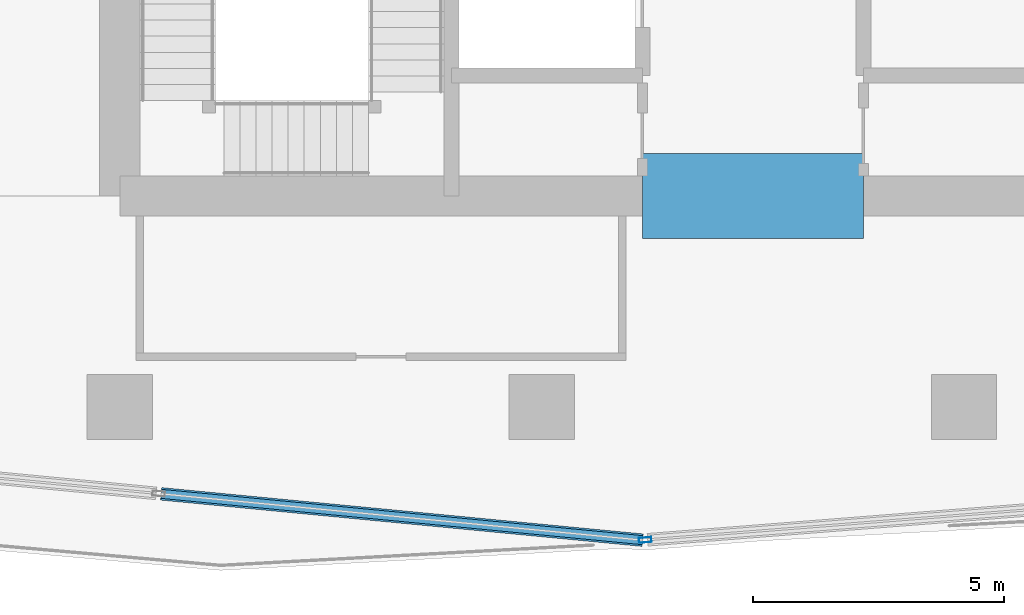
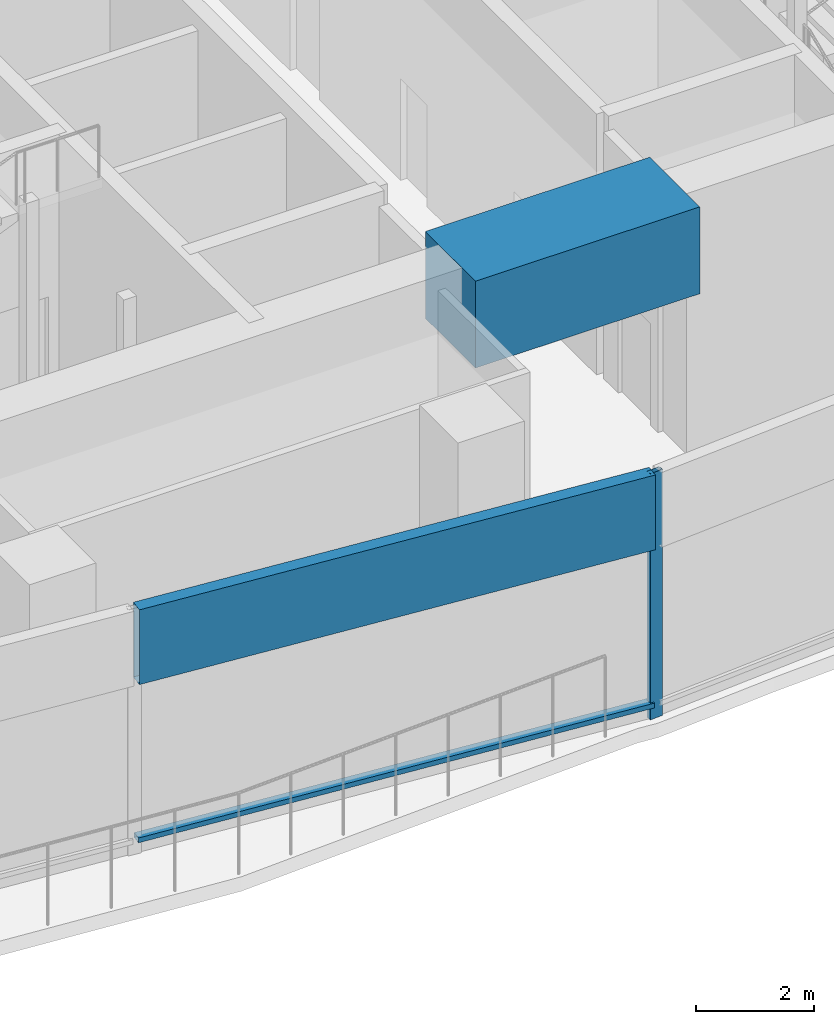
# One storey, part 3 of 22: 3 members, 1 beam, 2 elements without a shape of their own.
"""IFC4 building model written with IfcOpenShell, lengths in metres."""

import ifcopenshell
import ifcopenshell.guid

model = None  # the IFC model being written
_history = None  # IfcOwnerHistory: only IFC2X3 demands one
_inside = {}  # id of a spatial element -> (the spatial element, [elements in it])
_under = {}  # id of a project, library or spatial element -> (it, [spatial elements below it])
_declared = {}  # id of a project -> (the project, [libraries it declares])
_typed = {}  # id of a type object -> (the type object, [elements of that type])
_made_of = {}  # id of a material, layer set ... -> (it, [elements and type objects made of it])


def new_model(schema):
    """Start an empty IFC model of exactly this schema.

    Asked for "IFC4X3", IfcOpenShell would pick the latest addendum, in which some entities
    have other attributes; the version numbers below select the first issue.
    IFC2X3 requires an IfcOwnerHistory on every rooted entity: one is made here for all.
    """
    global model, _history
    if schema == "IFC4X3":
        model = ifcopenshell.file(schema_version=(4, 3, 0, 0))
    else:
        model = ifcopenshell.file(schema=schema)
    _inside.clear()
    _under.clear()
    _declared.clear()
    _typed.clear()
    _made_of.clear()
    _history = None
    if model.schema == "IFC2X3":
        org = make("IfcOrganization", Name="unknown")
        user = make(
            "IfcPersonAndOrganization",
            ThePerson=make("IfcPerson", FamilyName="unknown"),
            TheOrganization=org,
        )
        app = make(
            "IfcApplication",
            ApplicationDeveloper=org,
            Version="unknown",
            ApplicationFullName="unknown",
            ApplicationIdentifier="unknown",
        )
        _history = make(
            "IfcOwnerHistory",
            OwningUser=user,
            OwningApplication=app,
            ChangeAction="ADDED",
            CreationDate=0,
        )
    return model


def make(cls, **values):
    """One entity of the class cls with the attributes given. An attribute that is None is left unset."""
    return model.create_entity(
        cls, **{name: value for name, value in values.items() if value is not None}
    )


def rooted(cls, **values):
    """An entity with a GlobalId (a new one), such as an element, a storey or a relation."""
    return make(cls, GlobalId=ifcopenshell.guid.new(), OwnerHistory=_history, **values)


def si_unit(unit_type, name, prefix=None):
    """IfcSIUnit, for example si_unit("LENGTHUNIT", "METRE", prefix="MILLI")."""
    return make("IfcSIUnit", UnitType=unit_type, Prefix=prefix, Name=name)


def assignment(units):
    """IfcUnitAssignment: the units of a project."""
    return None if units is None else make("IfcUnitAssignment", Units=units)


def point(xyz):
    """IfcCartesianPoint."""
    return None if xyz is None else make("IfcCartesianPoint", Coordinates=xyz)


def direction(xyz):
    """IfcDirection."""
    return None if xyz is None else make("IfcDirection", DirectionRatios=xyz)


def frame(location, z_axis=None, x_axis=None):
    """IfcAxis2Placement3D, a coordinate frame: its origin and axes. An axis left out is left unset."""
    return make(
        "IfcAxis2Placement3D",
        Location=point(location),
        Axis=direction(z_axis),
        RefDirection=direction(x_axis),
    )


def frame_2d(location, x_axis=None):
    """IfcAxis2Placement2D, a coordinate frame in the plane: its origin and x axis."""
    return make(
        "IfcAxis2Placement2D", Location=point(location), RefDirection=direction(x_axis)
    )


def origin():
    """The frame at (0, 0, 0) with its axes left unset."""
    return frame((0.0, 0.0, 0.0))


def origin_2d():
    """The frame at (0, 0) in the plane with its x axis left unset."""
    return frame_2d((0.0, 0.0))


def place(relative_to, where):
    """IfcLocalPlacement: puts the frame where relative to a parent placement (None: the world)."""
    return make(
        "IfcLocalPlacement", PlacementRelTo=relative_to, RelativePlacement=where
    )


def context(
    kind, dimensions, precision=None, world=None, true_north=None, identifier=None
):
    """IfcGeometricRepresentationContext, for example the 3D "Model" context."""
    return make(
        "IfcGeometricRepresentationContext",
        ContextIdentifier=identifier,
        ContextType=kind,
        CoordinateSpaceDimension=dimensions,
        Precision=precision,
        WorldCoordinateSystem=world,
        TrueNorth=true_north,
    )


def subcontext(parent, identifier, kind, view, scale=None):
    """IfcGeometricRepresentationSubContext, for example "Body" below "Model"."""
    return make(
        "IfcGeometricRepresentationSubContext",
        ContextIdentifier=identifier,
        ContextType=kind,
        ParentContext=parent,
        TargetScale=scale,
        TargetView=view,
    )


def project(units=None, contexts=None):
    """IfcProject with its units and contexts."""
    return rooted(
        "IfcProject",
        Name="project",
        RepresentationContexts=contexts,
        UnitsInContext=assignment(units),
    )


def spatial(cls, under=None, at=None, **own):
    """A site, building, storey or space (cls), placed at a placement, below another one or the project."""
    s = rooted(cls, ObjectPlacement=at, **own)
    if under is not None:
        _under.setdefault(under.id(), (under, []))[1].append(s)
    return s


def profile(cls, at=None, kind="AREA", **sizes):
    """A parametric profile (cls). Its sizes go by their IFC names, for example OverallWidth=200.0."""
    return make(cls, ProfileType=kind, Position=at, **sizes)


def rectangle(**sizes):
    """IfcRectangleProfileDef."""
    return profile("IfcRectangleProfileDef", **sizes)


def hollow_rectangle(**sizes):
    """IfcRectangleHollowProfileDef."""
    return profile("IfcRectangleHollowProfileDef", **sizes)


def extrude(swept, where, along, depth):
    """IfcExtrudedAreaSolid: the profile swept, set in the frame where, extruded along a direction by depth."""
    return make(
        "IfcExtrudedAreaSolid",
        SweptArea=swept,
        Position=where,
        ExtrudedDirection=direction(along),
        Depth=depth,
    )


def shape(context_of_items, identifier, shape_type, items):
    """IfcShapeRepresentation: the items that make up one representation, for example the "Body"."""
    return make(
        "IfcShapeRepresentation",
        ContextOfItems=context_of_items,
        RepresentationIdentifier=identifier,
        RepresentationType=shape_type,
        Items=items,
    )


def material(Name=None, Category=None):
    """IfcMaterial."""
    return make("IfcMaterial", Name=Name, Category=Category)


def material_profile(
    of_material, cross_section, Name=None, Category=None, Priority=None
):
    """IfcMaterialProfile: a cross section and its material."""
    return make(
        "IfcMaterialProfile",
        Name=Name,
        Material=of_material,
        Profile=cross_section,
        Priority=Priority,
        Category=Category,
    )


def profile_set(profiles, Name=None, composite=None):
    """IfcMaterialProfileSet."""
    return make(
        "IfcMaterialProfileSet",
        Name=Name,
        MaterialProfiles=profiles,
        CompositeProfile=composite,
    )


def made_of(thing, what):
    """Note that an element or type object is made of a material, layer set ...; save() writes the relation."""
    if what is not None:
        _made_of.setdefault(what.id(), (what, []))[1].append(thing)
    return thing


def type_object(cls, material=None, **own):
    """A type object (cls), such as IfcWallType, which elements share."""
    return made_of(rooted(cls, **own), material)


def element(
    cls,
    number,
    at=None,
    inside=None,
    cuts=None,
    type_object=None,
    material=None,
    context=None,
    identifier="Body",
    shape_type=None,
    held_by="IfcProductDefinitionShape",
    body=None,
    shapes=None,
    **own,
):
    """One element of the class cls, such as IfcWall. Its Tag is "e" and its number.

    at: its placement. inside: the storey or other place that contains it. cuts: it is an
    opening in that element (IfcRelVoidsElement). A single representation is given by context,
    identifier, shape_type and body (its items); several are given by shapes. held_by: the class
    of the entity that holds the representations. save() writes the other relations.
    """
    e = rooted(cls, Tag="e%d" % number, ObjectPlacement=at, **own)
    if body is not None:
        shapes = [shape(context, identifier, shape_type, body)]
    if shapes is not None:
        e.Representation = make(held_by, Representations=shapes)
    if inside is not None:
        _inside.setdefault(inside.id(), (inside, []))[1].append(e)
    if cuts is not None:
        rooted(
            "IfcRelVoidsElement", RelatingBuildingElement=cuts, RelatedOpeningElement=e
        )
    if type_object is not None:
        _typed.setdefault(type_object.id(), (type_object, []))[1].append(e)
    return made_of(e, material)


def aggregate(whole, parts):
    """IfcRelAggregates: a whole, such as a stair, and the parts it consists of."""
    return rooted("IfcRelAggregates", RelatingObject=whole, RelatedObjects=parts)


def save(model, path):
    """Write the relations noted so far, then the file.

    IfcRelAggregates (storeys below a building ...), IfcRelContainedInSpatialStructure (elements
    in a storey), IfcRelDefinesByType, IfcRelAssociatesMaterial and IfcRelDeclares: one each for
    every whole, place, type object, material and project.
    """
    for whole, parts in _under.values():
        aggregate(whole, parts)
    for where, things in _inside.values():
        rooted(
            "IfcRelContainedInSpatialStructure",
            RelatedElements=things,
            RelatingStructure=where,
        )
    for kind, things in _typed.values():
        rooted("IfcRelDefinesByType", RelatedObjects=things, RelatingType=kind)
    for what, things in _made_of.values():
        rooted("IfcRelAssociatesMaterial", RelatedObjects=things, RelatingMaterial=what)
    for by, libraries in _declared.values():
        rooted("IfcRelDeclares", RelatingContext=by, RelatedDefinitions=libraries)
    model.write(path)


model = new_model("IFC4")

# Units and contexts
model_context = context("Model", 3, precision=1e-05, world=origin(), true_north=direction((0.0, 1.0)))
body_context = subcontext(model_context, "Body", "Model", "MODEL_VIEW")
ifc_project = project(units=[si_unit("LENGTHUNIT", "METRE"), si_unit("AREAUNIT", "SQUARE_METRE"), si_unit("VOLUMEUNIT", "CUBIC_METRE"), si_unit("PLANEANGLEUNIT", "RADIAN"), si_unit("MASSUNIT", "GRAM", prefix="KILO")], contexts=[model_context])

# Site, building, storey
site_placement = place(None, origin())
site = spatial("IfcSite", under=ifc_project, at=site_placement, CompositionType="ELEMENT")
building_placement = place(site_placement, origin())
building = spatial("IfcBuilding", under=site, at=building_placement, Name="Rekha Terrace Tower", CompositionType="ELEMENT")
storey_placement = place(building_placement, frame((0.0, 0.0, 291.35009765625)))
storey = spatial("IfcBuildingStorey", under=building, at=storey_placement, Name="L74", CompositionType="ELEMENT", Elevation=291.35009765625)

# Curtain wall, member
ifc_material_1 = material(Name="Aluminium framing", Category="aluminium")
curtain_wall_type = type_object("IfcCurtainWallType", Name="CW6 observation glazing", PredefinedType="USERDEFINED", material=ifc_material_1)
curtain_wall_1_placement = place(storey_placement, origin())
curtain_wall_1 = element("IfcCurtainWall", 1, at=curtain_wall_1_placement, inside=storey, type_object=curtain_wall_type, Name="CW6 observation curtain wall", ObjectType="OBSERVATION CURTAIN WALL", PredefinedType="USERDEFINED")
ifc_material_2 = material(Name="Aluminium mullion section", Category="aluminium")
ifc_material_profile_1 = material_profile(ifc_material_2, hollow_rectangle(XDim=0.10009765625, YDim=0.25, WallThickness=0.00390625, at=origin_2d()), Name="AL RHS 100x250")
ifc_profile_set_1 = profile_set([ifc_material_profile_1], Name="Aluminium mullion section")
member_type_1 = type_object("IfcMemberType", Name="CW6 mullion RHS 100 x 250", PredefinedType="MULLION", material=ifc_profile_set_1)
member_1_placement = place(storey_placement, frame((35.656494140625, 14.15478515625, 0.0), z_axis=(0.0, 0.0, 1.0), x_axis=(-0.078448725836, 0.996918149807, 0.0)))
member_1 = element("IfcMember", 2, at=member_1_placement, type_object=member_type_1, Name="CW6 mullion 1", PredefinedType="MULLION", context=body_context, shape_type="SweptSolid", body=[
    extrude(hollow_rectangle(XDim=0.10009765625, YDim=0.25, WallThickness=0.00390625, at=origin_2d()), origin(), (0.0, 0.0, 1.0), 5.099853515625),
])
aggregate(curtain_wall_1, [member_1])

# Curtain wall, members
curtain_wall_2_placement = place(storey_placement, origin())
curtain_wall_2 = element("IfcCurtainWall", 3, at=curtain_wall_2_placement, inside=storey, type_object=curtain_wall_type, Name="CW6 observation curtain wall", ObjectType="OBSERVATION CURTAIN WALL", PredefinedType="USERDEFINED")
ifc_material_3 = material(Name="Insulated aluminium spandrel box", Category="aluminium")
ifc_material_profile_2 = material_profile(ifc_material_3, hollow_rectangle(XDim=0.25, YDim=1.550048828125, WallThickness=0.0029296875, at=origin_2d()), Name="AL SPANDREL BOX 250x1550")
ifc_profile_set_2 = profile_set([ifc_material_profile_2], Name="Insulated aluminium spandrel box")
member_type_2 = type_object("IfcMemberType", Name="CW6 spandrel transom 250 x 1550", PredefinedType="USERDEFINED", material=ifc_profile_set_2)
member_2_placement = place(storey_placement, frame((26.0234375, 15.072509765625, 4.324951171875), z_axis=(0.99540498606, -0.095754444943, 0.0), x_axis=(0.095754444943, 0.99540498606, 0.0)))
member_2 = element("IfcMember", 4, at=member_2_placement, type_object=member_type_2, Name="CW6 spandrel transom 2", ObjectType="TRANSOM", PredefinedType="USERDEFINED", context=body_context, shape_type="SweptSolid", body=[
    extrude(hollow_rectangle(XDim=0.25, YDim=1.550048828125, WallThickness=0.0029296875, at=origin_2d()), origin(), (0.0, 0.0, 1.0), 9.62744140625),
])
ifc_material_4 = material(Name="Aluminium transom section", Category="aluminium")
ifc_material_profile_3 = material_profile(ifc_material_4, hollow_rectangle(XDim=0.179931640625, YDim=0.10009765625, WallThickness=0.0029296875, at=origin_2d()), Name="AL RHS 180x100")
ifc_profile_set_3 = profile_set([ifc_material_profile_3], Name="Aluminium transom section")
member_type_3 = type_object("IfcMemberType", Name="CW6 transom RHS 100 x 180", PredefinedType="USERDEFINED", material=ifc_profile_set_3)
member_3_placement = place(storey_placement, frame((26.0234375, 15.072509765625, 0.2998046875), z_axis=(0.99540498606, -0.095754444943, 0.0), x_axis=(0.095754444943, 0.99540498606, 0.0)))
member_3 = element("IfcMember", 5, at=member_3_placement, type_object=member_type_3, Name="CW6 transom 2.2", ObjectType="TRANSOM", PredefinedType="USERDEFINED", context=body_context, shape_type="SweptSolid", body=[
    extrude(hollow_rectangle(XDim=0.179931640625, YDim=0.10009765625, WallThickness=0.0029296875, at=origin_2d()), origin(), (0.0, 0.0, 1.0), 9.62744140625),
])
aggregate(curtain_wall_2, [member_3, member_2])

# Beam
ifc_material_5 = material(Name="Concrete M60", Category="concrete")
ifc_material_profile_4 = material_profile(ifc_material_5, rectangle(XDim=1.699951171875, YDim=1.800048828125, at=origin_2d()), Name="RC 1700x1800")
ifc_profile_set_4 = profile_set([ifc_material_profile_4], Name="Concrete M60")
beam_type = type_object("IfcBeamType", Name="LB5B 1700x1800 diagonally reinforced coupling beam", PredefinedType="LINTEL", material=ifc_profile_set_4)
beam_placement = place(storey_placement, frame((35.60009765625, 21.0, 4.5), z_axis=(1.0, 0.0, 0.0), x_axis=(0.0, 1.0, 0.0)))
element("IfcBeam", 6, at=beam_placement, inside=storey, type_object=beam_type, Name="Coupling beam LB5B S L74", PredefinedType="LINTEL", context=body_context, shape_type="SweptSolid", body=[
    extrude(rectangle(XDim=1.699951171875, YDim=1.800048828125, at=origin_2d()), origin(), (0.0, 0.0, 1.0), 4.39990234375),
])

save(model, "model.ifc")
